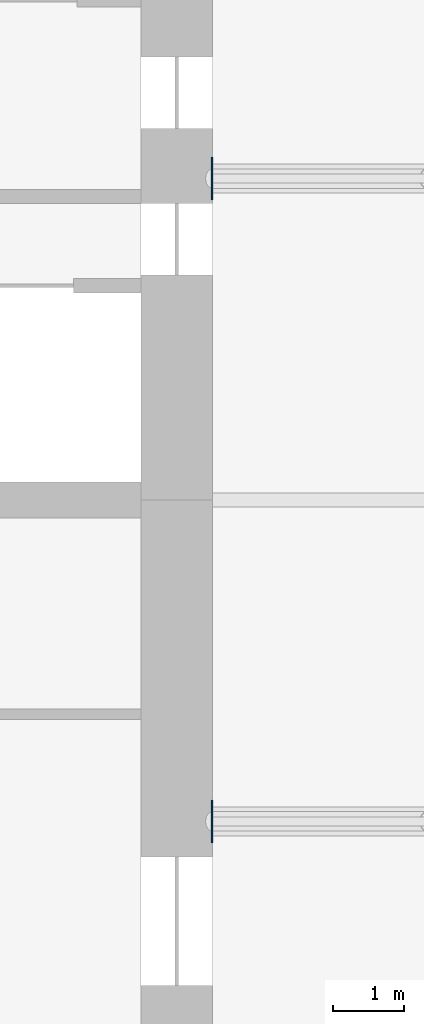
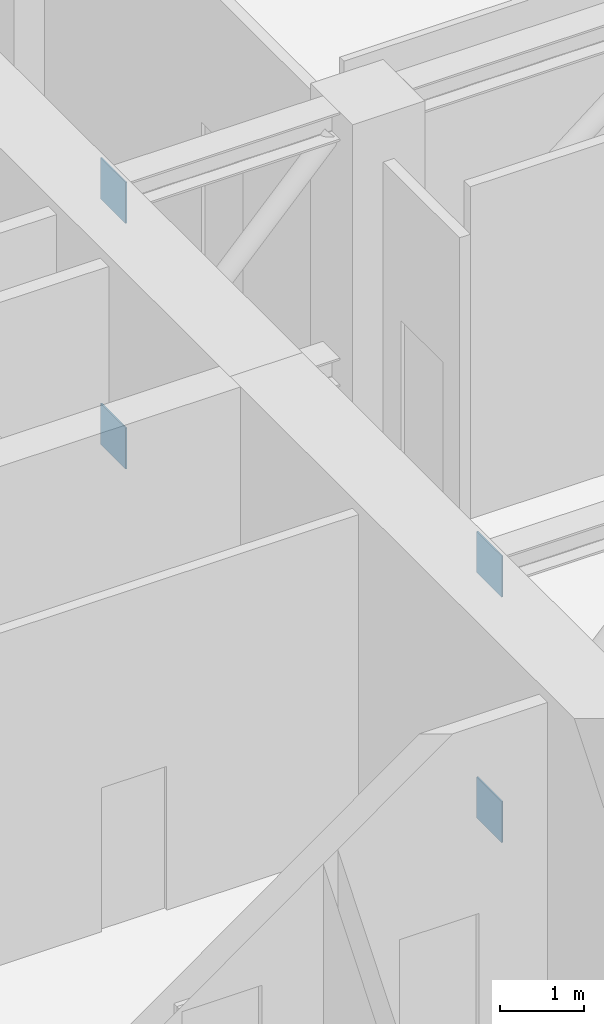
# One storey, part 20 of 23: 4 discrete accessories.
"""IFC4 building model written with IfcOpenShell, lengths in metres."""

from ifc_helpers import new_model, si_unit, direction, frame, origin, origin_2d, place, context, subcontext, project, spatial, rectangle, extrude, material, type_object, element, save


model = new_model("IFC4")

# Units and contexts
model_context = context("Model", 3, precision=1e-05, world=origin(), true_north=direction((0.0, 1.0)))
body_context = subcontext(model_context, "Body", "Model", "MODEL_VIEW")
ifc_project = project(units=[si_unit("LENGTHUNIT", "METRE"), si_unit("AREAUNIT", "SQUARE_METRE"), si_unit("VOLUMEUNIT", "CUBIC_METRE"), si_unit("PLANEANGLEUNIT", "RADIAN"), si_unit("MASSUNIT", "GRAM", prefix="KILO")], contexts=[model_context])

# Site, building, storey
site_placement = place(None, origin())
site = spatial("IfcSite", under=ifc_project, at=site_placement, CompositionType="ELEMENT")
building_placement = place(site_placement, origin())
building = spatial("IfcBuilding", under=site, at=building_placement, Name="Cinnabar Reach Civic Tower", CompositionType="ELEMENT")
storey_placement = place(building_placement, frame((0.0, 0.0, 46.0)))
storey = spatial("IfcBuildingStorey", under=building, at=storey_placement, Name="L10", CompositionType="ELEMENT", Elevation=46.0)

# Discrete accessories
ifc_material = material(Name="Steel Q355B", Category="steel")
discrete_accessory_type = type_object("IfcDiscreteAccessoryType", Name="Outrigger truss end plate", PredefinedType="USERDEFINED", material=ifc_material)
for number, where, z_axis, x_axis, name in (
    (1, (23.492, 27.0, 4.343), (0.0, 0.0, 1.0), (1.0, 0.0, 0.0), "Outrigger truss end plate T1-L10-TR-E27"),
    (2, (23.492, 27.0, 0.757), (0.0, 0.0, 1.0), (1.0, 0.0, 0.0), "Outrigger truss end plate T1-L10-TR-E27"),
    (3, (23.492, 36.0, 4.343), (0.0, 0.0, 1.0), (1.0, 0.0, 0.0), "Outrigger truss end plate T1-L10-TR-E36"),
    (4, (23.492, 36.0, 0.757), (0.0, 0.0, 1.0), (1.0, 0.0, 0.0), "Outrigger truss end plate T1-L10-TR-E36"),
):
    element("IfcDiscreteAccessory", number, at=place(storey_placement, frame(where, z_axis=z_axis, x_axis=x_axis)), inside=storey, type_object=discrete_accessory_type, Name=name, ObjectType="END PLATE", PredefinedType="USERDEFINED", context=body_context, shape_type="SweptSolid", body=[
        extrude(rectangle(XDim=0.02, YDim=0.6, at=origin_2d()), origin(), (0.0, 0.0, 1.0), 0.6),
    ])

save(model, "model.ifc")
